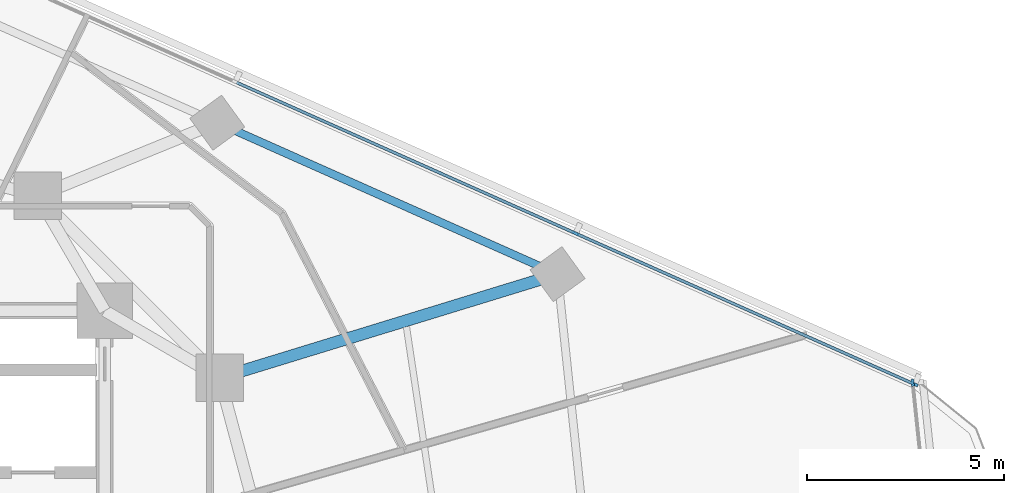
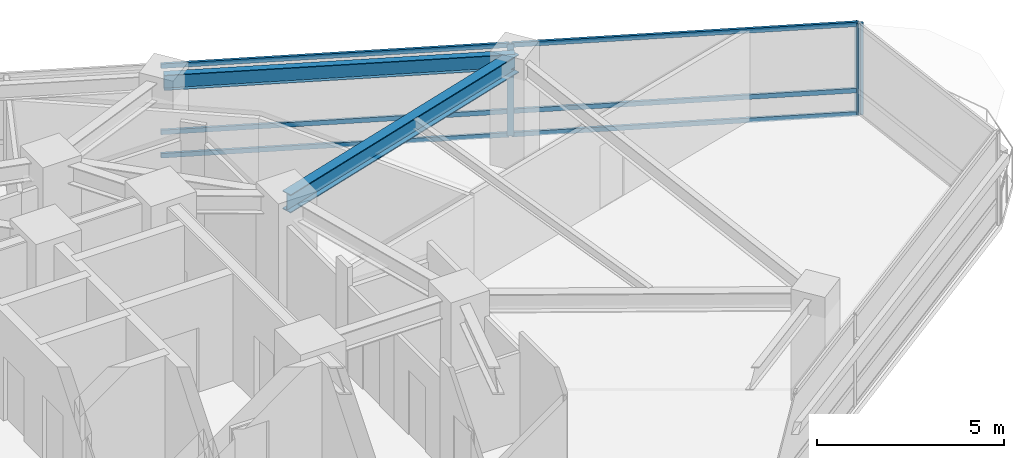
# One storey, part 6 of 14: 9 members, 2 beams, 2 elements without a shape of their own.
"""IFC4 building model written with IfcOpenShell, lengths in metres."""

from ifc_helpers import new_model, si_unit, direction, frame, origin, origin_2d, place, context, subcontext, project, spatial, rectangle, i_section, extrude, material, layer, layer_set, material_profile, profile_set, type_object, element, aggregate, save


model = new_model("IFC4")

# Units and contexts
model_context = context("Model", 3, precision=1e-05, world=origin(), true_north=direction((0.0, 1.0)))
body_context = subcontext(model_context, "Body", "Model", "MODEL_VIEW")
ifc_project = project(units=[si_unit("LENGTHUNIT", "METRE"), si_unit("AREAUNIT", "SQUARE_METRE"), si_unit("VOLUMEUNIT", "CUBIC_METRE"), si_unit("PLANEANGLEUNIT", "RADIAN"), si_unit("MASSUNIT", "GRAM", prefix="KILO")], contexts=[model_context])

# Site, building, storey
site_placement = place(None, origin())
site = spatial("IfcSite", under=ifc_project, at=site_placement, CompositionType="ELEMENT")
building_placement = place(site_placement, origin())
building = spatial("IfcBuilding", under=site, at=building_placement, Name="Terralouvre Media Tower", CompositionType="ELEMENT")
storey_placement = place(building_placement, frame((0.0, 0.0, 162.0)))
storey = spatial("IfcBuildingStorey", under=building, at=storey_placement, Name="L41", CompositionType="ELEMENT", Elevation=162.0)

# Curtain wall, members
ifc_material_1 = material(Name="Low-iron laminated double glazing with solar-control coating", Category="glass")
ifc_layer_1 = layer(ifc_material_1, 0.1650390625, Name="Production Studio Tower Curtain Wall CW-03")
ifc_layer_set_1 = layer_set([ifc_layer_1], Name="Low-iron laminated double glazing with solar-control coating")
curtain_wall_type_1 = type_object("IfcCurtainWallType", Name="Production Studio Tower Curtain Wall CW-03", PredefinedType="NOTDEFINED", material=ifc_layer_set_1)
curtain_wall_1_placement = place(storey_placement, origin())
curtain_wall_1 = element("IfcCurtainWall", 1, at=curtain_wall_1_placement, inside=storey, type_object=curtain_wall_type_1, Name="L41 Facade Curtain Wall F1", PredefinedType="NOTDEFINED")
ifc_material_2 = material(Name="Anodised extruded aluminium 6063-T6", Category="aluminium")
ifc_material_profile_1 = material_profile(ifc_material_2, rectangle(XDim=0.074951171875, YDim=0.14990234375, at=origin_2d()), Name="ALU 75x150")
ifc_profile_set_1 = profile_set([ifc_material_profile_1], Name="Anodised extruded aluminium 6063-T6")
member_type_1 = type_object("IfcMemberType", Name="Curtain-Wall Horizontal Transom TR-150", PredefinedType="USERDEFINED", material=ifc_profile_set_1)
member_1_placement = place(storey_placement, frame((28.4892578125, 6.1494140625, 0.03759765625), z_axis=(-0.913539345669, 0.406750370515, 0.0), x_axis=(-0.406750370515, -0.913539345669, 0.0)))
member_1 = element("IfcMember", 2, at=member_1_placement, type_object=member_type_1, Name="CW-03 transom 1.1", ObjectType="TRANSOM", PredefinedType="USERDEFINED", context=body_context, shape_type="SweptSolid", body=[
    extrude(rectangle(XDim=0.074951171875, YDim=0.14990234375, at=origin_2d()), origin(), (0.0, 0.0, 1.0), 9.327392578125),
])
member_2_placement = place(storey_placement, frame((28.4892578125, 6.1494140625, 0.800048828125), z_axis=(-0.913539345669, 0.406750370515, 0.0), x_axis=(-0.406750370515, -0.913539345669, 0.0)))
member_2 = element("IfcMember", 3, at=member_2_placement, type_object=member_type_1, Name="CW-03 transom 1.2", ObjectType="TRANSOM", PredefinedType="USERDEFINED", context=body_context, shape_type="SweptSolid", body=[
    extrude(rectangle(XDim=0.074951171875, YDim=0.14990234375, at=origin_2d()), origin(), (0.0, 0.0, 1.0), 9.327392578125),
])
member_3_placement = place(storey_placement, frame((28.4892578125, 6.1494140625, 2.96240234375), z_axis=(-0.913539345669, 0.406750370515, 0.0), x_axis=(-0.406750370515, -0.913539345669, 0.0)))
member_3 = element("IfcMember", 4, at=member_3_placement, type_object=member_type_1, Name="CW-03 transom 1.3", ObjectType="TRANSOM", PredefinedType="USERDEFINED", context=body_context, shape_type="SweptSolid", body=[
    extrude(rectangle(XDim=0.074951171875, YDim=0.14990234375, at=origin_2d()), origin(), (0.0, 0.0, 1.0), 9.327392578125),
])
member_4_placement = place(storey_placement, frame((19.899658203125, 9.973876953125, 0.03759765625), z_axis=(-0.913546899195, 0.40673340528, 0.0), x_axis=(-0.40673340528, -0.913546899195, 0.0)))
member_4 = element("IfcMember", 5, at=member_4_placement, type_object=member_type_1, Name="CW-03 transom 2.1", ObjectType="TRANSOM", PredefinedType="USERDEFINED", context=body_context, shape_type="SweptSolid", body=[
    extrude(rectangle(XDim=0.074951171875, YDim=0.14990234375, at=origin_2d()), origin(), (0.0, 0.0, 1.0), 9.364990234375),
])
member_5_placement = place(storey_placement, frame((19.899658203125, 9.973876953125, 0.800048828125), z_axis=(-0.913546899195, 0.40673340528, 0.0), x_axis=(-0.40673340528, -0.913546899195, 0.0)))
member_5 = element("IfcMember", 6, at=member_5_placement, type_object=member_type_1, Name="CW-03 transom 2.2", ObjectType="TRANSOM", PredefinedType="USERDEFINED", context=body_context, shape_type="SweptSolid", body=[
    extrude(rectangle(XDim=0.074951171875, YDim=0.14990234375, at=origin_2d()), origin(), (0.0, 0.0, 1.0), 9.364990234375),
])
member_6_placement = place(storey_placement, frame((19.899658203125, 9.973876953125, 2.96240234375), z_axis=(-0.913546899195, 0.40673340528, 0.0), x_axis=(-0.40673340528, -0.913546899195, 0.0)))
member_6 = element("IfcMember", 7, at=member_6_placement, type_object=member_type_1, Name="CW-03 transom 2.3", ObjectType="TRANSOM", PredefinedType="USERDEFINED", context=body_context, shape_type="SweptSolid", body=[
    extrude(rectangle(XDim=0.074951171875, YDim=0.14990234375, at=origin_2d()), origin(), (0.0, 0.0, 1.0), 9.364990234375),
])
ifc_material_3 = material(Name="Anodised extruded aluminium 6063-T6", Category="aluminium")
ifc_material_profile_2 = material_profile(ifc_material_3, rectangle(XDim=0.074951171875, YDim=0.179931640625, at=origin_2d()), Name="ALU 75x180")
ifc_profile_set_2 = profile_set([ifc_material_profile_2], Name="Anodised extruded aluminium 6063-T6")
member_type_2 = type_object("IfcMemberType", Name="Curtain-Wall Vertical Mullion ML-180", PredefinedType="MULLION", material=ifc_profile_set_2)
member_7_placement = place(storey_placement, frame((28.5234375, 6.13427734375, 0.0), z_axis=(0.0, 0.0, 1.0), x_axis=(-0.406736616337, -0.913545469547, 0.0)))
member_7 = element("IfcMember", 8, at=member_7_placement, type_object=member_type_2, Name="CW-03 mullion 1", PredefinedType="MULLION", context=body_context, shape_type="SweptSolid", body=[
    extrude(rectangle(XDim=0.074951171875, YDim=0.179931640625, at=origin_2d()), origin(), (0.0, 0.0, 1.0), 3.0),
])
member_8_placement = place(storey_placement, frame((19.933837890625, 9.95849609375, 0.0), z_axis=(0.0, 0.0, 1.0), x_axis=(-0.406736616337, -0.913545469547, 0.0)))
member_8 = element("IfcMember", 9, at=member_8_placement, type_object=member_type_2, Name="CW-03 mullion 2", PredefinedType="MULLION", context=body_context, shape_type="SweptSolid", body=[
    extrude(rectangle(XDim=0.074951171875, YDim=0.179931640625, at=origin_2d()), origin(), (0.0, 0.0, 1.0), 3.0),
])
aggregate(curtain_wall_1, [member_7, member_8, member_1, member_2, member_3, member_4, member_5, member_6])

# Curtain wall, member
ifc_material_4 = material(Name="Low-iron laminated double glazing with solar-control coating", Category="glass")
ifc_layer_2 = layer(ifc_material_4, 0.1650390625, Name="Rounded Wind-Corner Curved Glazing CW-04")
ifc_layer_set_2 = layer_set([ifc_layer_2], Name="Low-iron laminated double glazing with solar-control coating")
curtain_wall_type_2 = type_object("IfcCurtainWallType", Name="Rounded Wind-Corner Curved Glazing CW-04", PredefinedType="NOTDEFINED", material=ifc_layer_set_2)
curtain_wall_2_placement = place(storey_placement, origin())
curtain_wall_2 = element("IfcCurtainWall", 10, at=curtain_wall_2_placement, inside=storey, type_object=curtain_wall_type_2, Name="L41 Rounded Wind-Corner Curtain Wall C1", PredefinedType="NOTDEFINED")
member_9_placement = place(storey_placement, frame((28.47119140625, 6.1767578125, 0.0), z_axis=(0.0, 0.0, 1.0), x_axis=(-0.994521891172, -0.10452850319, 0.0)))
member_9 = element("IfcMember", 11, at=member_9_placement, type_object=member_type_2, Name="CW-04 mullion 2", PredefinedType="MULLION", context=body_context, shape_type="SweptSolid", body=[
    extrude(rectangle(XDim=0.074951171875, YDim=0.179931640625, at=origin_2d()), origin(), (0.0, 0.0, 1.0), 3.0),
])
aggregate(curtain_wall_2, [member_9])

# Beams
ifc_material_5 = material(Name="Structural steel S355J2", Category="steel")
ifc_material_profile_3 = material_profile(ifc_material_5, i_section(OverallWidth=0.199951171875, OverallDepth=0.5, WebThickness=0.01025390625, FlangeThickness=0.01611328125, at=origin_2d()), Name="IPE 500")
ifc_profile_set_3 = profile_set([ifc_material_profile_3], Name="Structural steel S355J2")
beam_type_1 = type_object("IfcBeamType", Name="Perimeter Spandrel Beam SPB-500 (IPE 500)", PredefinedType="SPANDREL", material=ifc_profile_set_3)
beam_1_placement = place(storey_placement, frame((19.474365234375, 8.92626953125, 3.25), z_axis=(-0.913547937667, 0.406731072803, 0.0), x_axis=(-0.406731072803, -0.913547937667, 0.0)))
element("IfcBeam", 12, at=beam_1_placement, inside=storey, type_object=beam_type_1, Name="L41 Framing Beam BM-L41-PR07", PredefinedType="SPANDREL", context=body_context, shape_type="SweptSolid", body=[
    extrude(i_section(OverallWidth=0.199951171875, OverallDepth=0.5, WebThickness=0.01025390625, FlangeThickness=0.01611328125, at=origin_2d()), origin(), (0.0, 0.0, 1.0), 9.440185546875),
])
ifc_material_6 = material(Name="Structural steel S460M", Category="steel")
ifc_material_profile_4 = material_profile(ifc_material_6, i_section(OverallWidth=0.300048828125, OverallDepth=0.60009765625, WebThickness=0.015380859375, FlangeThickness=0.030029296875, at=origin_2d()), Name="HEB 600")
ifc_profile_set_4 = profile_set([ifc_material_profile_4], Name="Structural steel S460M")
beam_type_2 = type_object("IfcBeamType", Name="Primary Floor Girder B-HEB600 (HEB 600)", PredefinedType="BEAM", material=ifc_profile_set_4)
beam_2_placement = place(storey_placement, frame((10.911865234375, 6.300048828125, 3.199951171875), z_axis=(0.956042083717, 0.293229490606, 0.0), x_axis=(-0.293229490606, 0.956042083717, 0.0)))
element("IfcBeam", 13, at=beam_2_placement, inside=storey, type_object=beam_type_2, Name="L41 Framing Beam BM-L41-RD07", PredefinedType="BEAM", context=body_context, shape_type="SweptSolid", body=[
    extrude(i_section(OverallWidth=0.300048828125, OverallDepth=0.60009765625, WebThickness=0.015380859375, FlangeThickness=0.030029296875, at=origin_2d()), origin(), (0.0, 0.0, 1.0), 8.956298828125),
])

save(model, "model.ifc")
